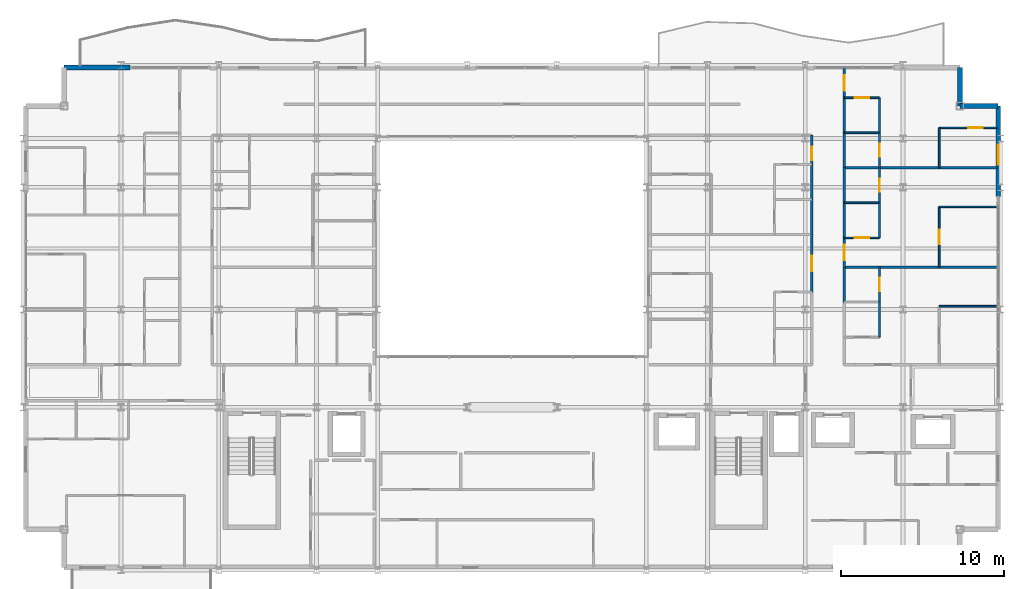
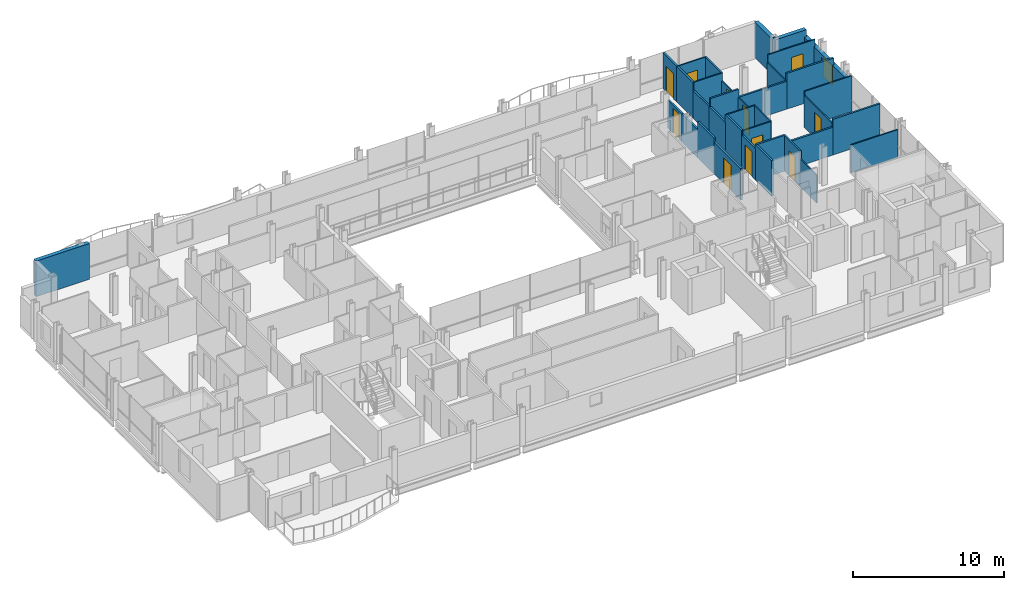
# One storey, part 36 of 40: 36 walls, 11 doors, 1 window, 12 openings.
"""IFC4 building model written with IfcOpenShell, lengths in metres."""

import ifcopenshell
import ifcopenshell.guid

model = None  # the IFC model being written
_history = None  # IfcOwnerHistory: only IFC2X3 demands one
_inside = {}  # id of a spatial element -> (the spatial element, [elements in it])
_under = {}  # id of a project, library or spatial element -> (it, [spatial elements below it])
_declared = {}  # id of a project -> (the project, [libraries it declares])
_typed = {}  # id of a type object -> (the type object, [elements of that type])
_made_of = {}  # id of a material, layer set ... -> (it, [elements and type objects made of it])


def new_model(schema):
    """Start an empty IFC model of exactly this schema.

    Asked for "IFC4X3", IfcOpenShell would pick the latest addendum, in which some entities
    have other attributes; the version numbers below select the first issue.
    IFC2X3 requires an IfcOwnerHistory on every rooted entity: one is made here for all.
    """
    global model, _history
    if schema == "IFC4X3":
        model = ifcopenshell.file(schema_version=(4, 3, 0, 0))
    else:
        model = ifcopenshell.file(schema=schema)
    _inside.clear()
    _under.clear()
    _declared.clear()
    _typed.clear()
    _made_of.clear()
    _history = None
    if model.schema == "IFC2X3":
        org = make("IfcOrganization", Name="unknown")
        user = make(
            "IfcPersonAndOrganization",
            ThePerson=make("IfcPerson", FamilyName="unknown"),
            TheOrganization=org,
        )
        app = make(
            "IfcApplication",
            ApplicationDeveloper=org,
            Version="unknown",
            ApplicationFullName="unknown",
            ApplicationIdentifier="unknown",
        )
        _history = make(
            "IfcOwnerHistory",
            OwningUser=user,
            OwningApplication=app,
            ChangeAction="ADDED",
            CreationDate=0,
        )
    return model


def make(cls, **values):
    """One entity of the class cls with the attributes given. An attribute that is None is left unset."""
    return model.create_entity(
        cls, **{name: value for name, value in values.items() if value is not None}
    )


def rooted(cls, **values):
    """An entity with a GlobalId (a new one), such as an element, a storey or a relation."""
    return make(cls, GlobalId=ifcopenshell.guid.new(), OwnerHistory=_history, **values)


def si_unit(unit_type, name, prefix=None):
    """IfcSIUnit, for example si_unit("LENGTHUNIT", "METRE", prefix="MILLI")."""
    return make("IfcSIUnit", UnitType=unit_type, Prefix=prefix, Name=name)


def assignment(units):
    """IfcUnitAssignment: the units of a project."""
    return None if units is None else make("IfcUnitAssignment", Units=units)


def point(xyz):
    """IfcCartesianPoint."""
    return None if xyz is None else make("IfcCartesianPoint", Coordinates=xyz)


def direction(xyz):
    """IfcDirection."""
    return None if xyz is None else make("IfcDirection", DirectionRatios=xyz)


def frame(location, z_axis=None, x_axis=None):
    """IfcAxis2Placement3D, a coordinate frame: its origin and axes. An axis left out is left unset."""
    return make(
        "IfcAxis2Placement3D",
        Location=point(location),
        Axis=direction(z_axis),
        RefDirection=direction(x_axis),
    )


def frame_2d(location, x_axis=None):
    """IfcAxis2Placement2D, a coordinate frame in the plane: its origin and x axis."""
    return make(
        "IfcAxis2Placement2D", Location=point(location), RefDirection=direction(x_axis)
    )


def origin():
    """The frame at (0, 0, 0) with its axes left unset."""
    return frame((0.0, 0.0, 0.0))


def place(relative_to, where):
    """IfcLocalPlacement: puts the frame where relative to a parent placement (None: the world)."""
    return make(
        "IfcLocalPlacement", PlacementRelTo=relative_to, RelativePlacement=where
    )


def context(
    kind, dimensions, precision=None, world=None, true_north=None, identifier=None
):
    """IfcGeometricRepresentationContext, for example the 3D "Model" context."""
    return make(
        "IfcGeometricRepresentationContext",
        ContextIdentifier=identifier,
        ContextType=kind,
        CoordinateSpaceDimension=dimensions,
        Precision=precision,
        WorldCoordinateSystem=world,
        TrueNorth=true_north,
    )


def subcontext(parent, identifier, kind, view, scale=None):
    """IfcGeometricRepresentationSubContext, for example "Body" below "Model"."""
    return make(
        "IfcGeometricRepresentationSubContext",
        ContextIdentifier=identifier,
        ContextType=kind,
        ParentContext=parent,
        TargetScale=scale,
        TargetView=view,
    )


def project(units=None, contexts=None):
    """IfcProject with its units and contexts."""
    return rooted(
        "IfcProject",
        Name="project",
        RepresentationContexts=contexts,
        UnitsInContext=assignment(units),
    )


def spatial(cls, under=None, at=None, **own):
    """A site, building, storey or space (cls), placed at a placement, below another one or the project."""
    s = rooted(cls, ObjectPlacement=at, **own)
    if under is not None:
        _under.setdefault(under.id(), (under, []))[1].append(s)
    return s


def profile(cls, at=None, kind="AREA", **sizes):
    """A parametric profile (cls). Its sizes go by their IFC names, for example OverallWidth=200.0."""
    return make(cls, ProfileType=kind, Position=at, **sizes)


def rectangle(**sizes):
    """IfcRectangleProfileDef."""
    return profile("IfcRectangleProfileDef", **sizes)


def extrude(swept, where, along, depth):
    """IfcExtrudedAreaSolid: the profile swept, set in the frame where, extruded along a direction by depth."""
    return make(
        "IfcExtrudedAreaSolid",
        SweptArea=swept,
        Position=where,
        ExtrudedDirection=direction(along),
        Depth=depth,
    )


def shape(context_of_items, identifier, shape_type, items):
    """IfcShapeRepresentation: the items that make up one representation, for example the "Body"."""
    return make(
        "IfcShapeRepresentation",
        ContextOfItems=context_of_items,
        RepresentationIdentifier=identifier,
        RepresentationType=shape_type,
        Items=items,
    )


def material(Name=None, Category=None):
    """IfcMaterial."""
    return make("IfcMaterial", Name=Name, Category=Category)


def layer(
    of_material, thickness, ventilated=None, Name=None, Category=None, Priority=None
):
    """IfcMaterialLayer: one layer of a wall or slab, of a material (None: an air gap)."""
    return make(
        "IfcMaterialLayer",
        Material=of_material,
        LayerThickness=thickness,
        IsVentilated=ventilated,
        Name=Name,
        Category=Category,
        Priority=Priority,
    )


def layer_set(layers, Name=None):
    """IfcMaterialLayerSet."""
    return make("IfcMaterialLayerSet", MaterialLayers=layers, LayerSetName=Name)


def made_of(thing, what):
    """Note that an element or type object is made of a material, layer set ...; save() writes the relation."""
    if what is not None:
        _made_of.setdefault(what.id(), (what, []))[1].append(thing)
    return thing


def type_object(cls, material=None, **own):
    """A type object (cls), such as IfcWallType, which elements share."""
    return made_of(rooted(cls, **own), material)


def element(
    cls,
    number,
    at=None,
    inside=None,
    cuts=None,
    type_object=None,
    material=None,
    context=None,
    identifier="Body",
    shape_type=None,
    held_by="IfcProductDefinitionShape",
    body=None,
    shapes=None,
    **own,
):
    """One element of the class cls, such as IfcWall. Its Tag is "e" and its number.

    at: its placement. inside: the storey or other place that contains it. cuts: it is an
    opening in that element (IfcRelVoidsElement). A single representation is given by context,
    identifier, shape_type and body (its items); several are given by shapes. held_by: the class
    of the entity that holds the representations. save() writes the other relations.
    """
    e = rooted(cls, Tag="e%d" % number, ObjectPlacement=at, **own)
    if body is not None:
        shapes = [shape(context, identifier, shape_type, body)]
    if shapes is not None:
        e.Representation = make(held_by, Representations=shapes)
    if inside is not None:
        _inside.setdefault(inside.id(), (inside, []))[1].append(e)
    if cuts is not None:
        rooted(
            "IfcRelVoidsElement", RelatingBuildingElement=cuts, RelatedOpeningElement=e
        )
    if type_object is not None:
        _typed.setdefault(type_object.id(), (type_object, []))[1].append(e)
    return made_of(e, material)


def fill(opening, filler):
    """IfcRelFillsElement: the door or window that sits in an opening."""
    return rooted(
        "IfcRelFillsElement",
        RelatingOpeningElement=opening,
        RelatedBuildingElement=filler,
    )


def aggregate(whole, parts):
    """IfcRelAggregates: a whole, such as a stair, and the parts it consists of."""
    return rooted("IfcRelAggregates", RelatingObject=whole, RelatedObjects=parts)


def save(model, path):
    """Write the relations noted so far, then the file.

    IfcRelAggregates (storeys below a building ...), IfcRelContainedInSpatialStructure (elements
    in a storey), IfcRelDefinesByType, IfcRelAssociatesMaterial and IfcRelDeclares: one each for
    every whole, place, type object, material and project.
    """
    for whole, parts in _under.values():
        aggregate(whole, parts)
    for where, things in _inside.values():
        rooted(
            "IfcRelContainedInSpatialStructure",
            RelatedElements=things,
            RelatingStructure=where,
        )
    for kind, things in _typed.values():
        rooted("IfcRelDefinesByType", RelatedObjects=things, RelatingType=kind)
    for what, things in _made_of.values():
        rooted("IfcRelAssociatesMaterial", RelatedObjects=things, RelatingMaterial=what)
    for by, libraries in _declared.values():
        rooted("IfcRelDeclares", RelatingContext=by, RelatedDefinitions=libraries)
    model.write(path)


model = new_model("IFC4")

# Units and contexts
model_context = context("Model", 3, precision=1e-05, world=origin(), true_north=direction((0.0, 1.0)))
body_context = subcontext(model_context, "Body", "Model", "MODEL_VIEW")
ifc_project = project(units=[si_unit("LENGTHUNIT", "METRE"), si_unit("AREAUNIT", "SQUARE_METRE"), si_unit("VOLUMEUNIT", "CUBIC_METRE"), si_unit("PLANEANGLEUNIT", "RADIAN"), si_unit("MASSUNIT", "GRAM", prefix="KILO")], contexts=[model_context])

# Site, building, storey
site_placement = place(None, origin())
site = spatial("IfcSite", under=ifc_project, at=site_placement, CompositionType="ELEMENT")
building_placement = place(site_placement, origin())
building = spatial("IfcBuilding", under=site, at=building_placement, Name="Brevholm Reach", CompositionType="ELEMENT")
storey_placement = place(building_placement, frame((0.0, 0.0, 119.0)))
storey = spatial("IfcBuildingStorey", under=building, at=storey_placement, Name="L35", CompositionType="ELEMENT", Elevation=119.0)

# Walls
ifc_material_1 = material(Name="Concrete C40/50", Category="concrete")
ifc_layer_1 = layer(ifc_material_1, 0.300048828125)
ifc_layer_set_1 = layer_set([ifc_layer_1], Name="Concrete C40/50")
wall_type_1 = type_object("IfcWallType", Name="WAL-EXT-300", PredefinedType="STANDARD", material=ifc_layer_set_1)
for number, where, z_axis, x_axis, name in (
    (1, (59.85009765625, 28.5, 0.0), (0.0, 0.0, 1.0), (-1.0, 0.0, 0.0), "L35 Facade Wall WAL-L35-CNE1"),
    (2, (57.5, 28.5, 0.0), (0.0, 0.0, 1.0), (0.0, 1.0, 0.0), "L35 Facade Wall WAL-L35-CNE2"),
):
    element("IfcWall", number, at=place(storey_placement, frame(where, z_axis=z_axis, x_axis=x_axis)), inside=storey, type_object=wall_type_1, Name=name, PredefinedType="STANDARD", context=body_context, shape_type="SweptSolid", body=[
        extrude(rectangle(XDim=2.35009765625, YDim=0.300048828125, at=frame_2d((1.175048828125, 0.0))), origin(), (0.0, 0.0, 1.0), 2.8798828125),
    ])

# Wall, opening, window
wall_1_placement = place(storey_placement, frame((59.85009765625, 22.949951171875, 0.0), z_axis=(0.0, 0.0, 1.0), x_axis=(0.0, 1.0, 0.0)))
wall_1 = element("IfcWall", 3, at=wall_1_placement, inside=storey, type_object=wall_type_1, Name="L35 Facade Wall WAL-L35-E-N", PredefinedType="STANDARD", context=body_context, shape_type="SweptSolid", body=[
    extrude(rectangle(XDim=5.550048828125, YDim=0.300048828125, at=frame_2d((2.77490234375, 0.0))), origin(), (0.0, 0.0, 1.0), 2.322021484375),
])
opening_1_placement = place(wall_1_placement, frame((1.949951171875, 0.0, 0.501953125)))
opening_1 = element("IfcOpeningElement", 4, at=opening_1_placement, cuts=wall_1, Name="Opening WN-08", PredefinedType="OPENING", context=body_context, shape_type="SweptSolid", body=[
    extrude(rectangle(XDim=1.199951171875, YDim=1.60009765625, at=frame_2d((0.60009765625, 0.800048828125))), frame((0.0, 0.159912109375, 0.0), z_axis=(0.0, -1.0, 0.0), x_axis=(1.0, 0.0, 0.0)), (0.0, 0.0, 1.0), 0.320068359375),
])
ifc_material_2 = material(Name="Dark Anodised Aluminium and Solar-Control IGU Glass", Category="aluminium")
window_type = type_object("IfcWindowType", Name="WIN-RES-1200", PartitioningType="SINGLE_PANEL", PredefinedType="WINDOW", material=ifc_material_2)
window_placement = place(opening_1_placement, origin())
window = element("IfcWindow", 5, at=window_placement, inside=storey, type_object=window_type, Name="L35 Window WIN-L35-EN-1", OverallHeight=1.60009765625, OverallWidth=1.199951171875, PartitioningType="SINGLE_PANEL", PredefinedType="WINDOW", context=body_context, shape_type="SweptSolid", body=[
    extrude(rectangle(XDim=1.199951171875, YDim=1.60009765625, at=frame_2d((0.60009765625, 0.800048828125))), frame((0.0, 0.030029296875, 0.0), z_axis=(0.0, -1.0, 0.0), x_axis=(1.0, 0.0, 0.0)), (0.0, 0.0, 1.0), 0.06005859375),
])
fill(opening_1, window)

# Wall
wall_2_placement = place(storey_placement, frame((2.5, 30.85009765625, 0.0), z_axis=(0.0, 0.0, 1.0), x_axis=(1.0, 0.0, 0.0)))
element("IfcWall", 6, at=wall_2_placement, inside=storey, type_object=wall_type_1, Name="L35 Facade Wall WAL-L35-NP-W0", PredefinedType="STANDARD", context=body_context, shape_type="SweptSolid", body=[
    extrude(rectangle(XDim=4.050048828125, YDim=0.300048828125, at=frame_2d((2.02490234375, 0.0))), origin(), (0.0, 0.0, 1.0), 2.8798828125),
])

# Wall, opening, door
ifc_material_3 = material(Name="Moisture-Resistant Acoustic Gypsum Stud Partition 100 mm", Category="gypsum")
ifc_layer_2 = layer(ifc_material_3, 0.10009765625)
ifc_layer_set_2 = layer_set([ifc_layer_2], Name="Moisture-Resistant Acoustic Gypsum Stud Partition 100 mm")
wall_type_2 = type_object("IfcWallType", Name="WAL-PRT-100", PredefinedType="PARTITIONING", material=ifc_layer_set_2)
wall_3_placement = place(storey_placement, frame((52.56201171875, 16.449951171875, 0.0), z_axis=(0.0, 0.0, 1.0), x_axis=(0.0, 1.0, 0.0)))
wall_3 = element("IfcWall", 7, at=wall_3_placement, inside=storey, type_object=wall_type_2, Name="L35 Internal Partition 138", PredefinedType="PARTITIONING", context=body_context, shape_type="SweptSolid", body=[
    extrude(rectangle(XDim=2.150146484375, YDim=0.10009765625, at=frame_2d((1.0751953125, 0.0))), origin(), (0.0, 0.0, 1.0), 2.8798828125),
])
opening_2_placement = place(wall_3_placement, frame((0.6650390625, 0.0, 0.0)))
opening_2 = element("IfcOpeningElement", 8, at=opening_2_placement, cuts=wall_3, Name="Opening ID-03", PredefinedType="OPENING", context=body_context, shape_type="SweptSolid", body=[
    extrude(rectangle(XDim=0.820068359375, YDim=2.02001953125, at=frame_2d((0.41015625, 1.010009765625))), frame((0.0, 0.06005859375, 0.0), z_axis=(0.0, -1.0, 0.0), x_axis=(1.0, 0.0, 0.0)), (0.0, 0.0, 1.0), 0.1201171875),
])
ifc_material_4 = material(Name="Moisture-Resistant Painted Timber Internal Bathroom Door", Category="wood")
door_type_1 = type_object("IfcDoorType", Name="DOR-BATH-820", OperationType="NOTDEFINED", PredefinedType="DOOR", material=ifc_material_4)
door_1_placement = place(opening_2_placement, origin())
door_1 = element("IfcDoor", 9, at=door_1_placement, inside=storey, type_object=door_type_1, Name="L35 Internal Door 053", OperationType="SINGLE_SWING_LEFT", OverallHeight=2.02001953125, OverallWidth=0.820068359375, PredefinedType="DOOR", context=body_context, shape_type="SweptSolid", body=[
    extrude(rectangle(XDim=0.820068359375, YDim=2.02001953125, at=frame_2d((0.41015625, 1.010009765625))), frame((0.0, 0.02490234375, 0.0), z_axis=(0.0, -1.0, 0.0), x_axis=(1.0, 0.0, 0.0)), (0.0, 0.0, 1.0), 0.050048828125),
])
fill(opening_2, door_1)

# Walls
wall_4_placement = place(storey_placement, frame((52.56201171875, 14.300048828125, 0.0), z_axis=(0.0, 0.0, 1.0), x_axis=(0.0, 1.0, 0.0)))
element("IfcWall", 10, at=wall_4_placement, inside=storey, type_object=wall_type_2, Name="L35 Internal Partition 141", PredefinedType="PARTITIONING", context=body_context, shape_type="SweptSolid", body=[
    extrude(rectangle(XDim=2.14599609375, YDim=0.10009765625, at=frame_2d((1.072998046875, 0.0))), origin(), (0.0, 0.0, 1.0), 2.242919921875),
])
wall_5_placement = place(storey_placement, frame((56.22802734375, 16.199951171875, 0.0), z_axis=(0.0, 0.0, 1.0), x_axis=(1.0, 0.0, 0.0)))
element("IfcWall", 11, at=wall_5_placement, inside=storey, type_object=wall_type_2, Name="L35 Internal Partition 142", PredefinedType="PARTITIONING", context=body_context, shape_type="SweptSolid", body=[
    extrude(rectangle(XDim=3.572021484375, YDim=0.10009765625, at=frame_2d((1.7861328125, 0.0))), origin(), (0.0, 0.0, 1.0), 2.242919921875),
])
wall_6_placement = place(storey_placement, frame((50.404052734375, 22.550048828125, 0.0), z_axis=(0.0, 0.0, 1.0), x_axis=(1.0, 0.0, 0.0)))
element("IfcWall", 12, at=wall_6_placement, inside=storey, type_object=wall_type_2, Name="L35 Internal Partition 146", PredefinedType="PARTITIONING", context=body_context, shape_type="SweptSolid", body=[
    extrude(rectangle(XDim=2.157958984375, YDim=0.10009765625, at=frame_2d((1.0791015625, 0.0))), origin(), (0.0, 0.0, 1.0), 2.8798828125),
])

# Wall, opening, door
wall_7_placement = place(storey_placement, frame((52.56201171875, 22.550048828125, 0.0), z_axis=(0.0, 0.0, 1.0), x_axis=(0.0, 1.0, 0.0)))
wall_7 = element("IfcWall", 13, at=wall_7_placement, inside=storey, type_object=wall_type_2, Name="L35 Internal Partition 147", PredefinedType="PARTITIONING", context=body_context, shape_type="SweptSolid", body=[
    extrude(rectangle(XDim=2.14990234375, YDim=0.10009765625, at=frame_2d((1.074951171875, 0.0))), origin(), (0.0, 0.0, 1.0), 2.242919921875),
])
opening_3_placement = place(wall_7_placement, frame((0.6650390625, 0.0, 0.0)))
opening_3 = element("IfcOpeningElement", 14, at=opening_3_placement, cuts=wall_7, Name="Opening ID-03", PredefinedType="OPENING", context=body_context, shape_type="SweptSolid", body=[
    extrude(rectangle(XDim=0.820068359375, YDim=2.02001953125, at=frame_2d((0.41015625, 1.010009765625))), frame((0.0, 0.06005859375, 0.0), z_axis=(0.0, -1.0, 0.0), x_axis=(1.0, 0.0, 0.0)), (0.0, 0.0, 1.0), 0.1201171875),
])
door_2_placement = place(opening_3_placement, origin())
door_2 = element("IfcDoor", 15, at=door_2_placement, inside=storey, type_object=door_type_1, Name="L35 Internal Door 056", OperationType="SINGLE_SWING_RIGHT", OverallHeight=2.02001953125, OverallWidth=0.820068359375, PredefinedType="DOOR", context=body_context, shape_type="SweptSolid", body=[
    extrude(rectangle(XDim=0.820068359375, YDim=2.02001953125, at=frame_2d((0.41015625, 1.010009765625))), frame((0.0, 0.02490234375, 0.0), z_axis=(0.0, -1.0, 0.0), x_axis=(1.0, 0.0, 0.0)), (0.0, 0.0, 1.0), 0.050048828125),
])
fill(opening_3, door_2)

wall_8_placement = place(storey_placement, frame((50.404052734375, 20.39990234375, 0.0), z_axis=(0.0, 0.0, 1.0), x_axis=(1.0, 0.0, 0.0)))
wall_8 = element("IfcWall", 16, at=wall_8_placement, inside=storey, type_object=wall_type_2, Name="L35 Internal Partition 149", PredefinedType="PARTITIONING", context=body_context, shape_type="SweptSolid", body=[
    extrude(rectangle(XDim=2.157958984375, YDim=0.10009765625, at=frame_2d((1.0791015625, 0.0))), origin(), (0.0, 0.0, 1.0), 2.8798828125),
])
opening_4_placement = place(wall_8_placement, frame((0.638916015625, 0.0, 0.0)))
opening_4 = element("IfcOpeningElement", 17, at=opening_4_placement, cuts=wall_8, Name="Opening ID-01", PredefinedType="OPENING", context=body_context, shape_type="SweptSolid", body=[
    extrude(rectangle(XDim=0.8798828125, YDim=2.0400390625, at=frame_2d((0.43994140625, 1.02001953125))), frame((0.0, 0.06005859375, 0.0), z_axis=(0.0, -1.0, 0.0), x_axis=(1.0, 0.0, 0.0)), (0.0, 0.0, 1.0), 0.1201171875),
])
ifc_material_5 = material(Name="Lacquered Ash Solid-Core Acoustic Internal Door", Category="timber")
door_type_2 = type_object("IfcDoorType", Name="DOR-INT-880", OperationType="NOTDEFINED", PredefinedType="DOOR", material=ifc_material_5)
door_3_placement = place(opening_4_placement, origin())
door_3 = element("IfcDoor", 18, at=door_3_placement, inside=storey, type_object=door_type_2, Name="L35 Internal Door 057", OperationType="SINGLE_SWING_LEFT", OverallHeight=2.0400390625, OverallWidth=0.8798828125, PredefinedType="DOOR", context=body_context, shape_type="SweptSolid", body=[
    extrude(rectangle(XDim=0.8798828125, YDim=2.0400390625, at=frame_2d((0.43994140625, 1.02001953125))), frame((0.0, 0.02490234375, 0.0), z_axis=(0.0, -1.0, 0.0), x_axis=(1.0, 0.0, 0.0)), (0.0, 0.0, 1.0), 0.050048828125),
])
fill(opening_4, door_3)

# Walls
wall_9_placement = place(storey_placement, frame((52.56201171875, 20.39990234375, 0.0), z_axis=(0.0, 0.0, 1.0), x_axis=(0.0, 1.0, 0.0)))
element("IfcWall", 19, at=wall_9_placement, inside=storey, type_object=wall_type_2, Name="L35 Internal Partition 150", PredefinedType="PARTITIONING", context=body_context, shape_type="SweptSolid", body=[
    extrude(rectangle(XDim=2.14599609375, YDim=0.10009765625, at=frame_2d((1.072998046875, 0.0))), origin(), (0.0, 0.0, 1.0), 2.8798828125),
])
wall_10_placement = place(storey_placement, frame((56.22802734375, 22.300048828125, 0.0), z_axis=(0.0, 0.0, 1.0), x_axis=(1.0, 0.0, 0.0)))
element("IfcWall", 20, at=wall_10_placement, inside=storey, type_object=wall_type_2, Name="L35 Internal Partition 151", PredefinedType="PARTITIONING", context=body_context, shape_type="SweptSolid", body=[
    extrude(rectangle(XDim=3.572021484375, YDim=0.10009765625, at=frame_2d((1.7861328125, 0.0))), origin(), (0.0, 0.0, 1.0), 2.8798828125),
])

# Wall, opening, door
wall_11_placement = place(storey_placement, frame((56.22802734375, 18.60400390625, 0.0), z_axis=(0.0, 0.0, 1.0), x_axis=(0.0, 1.0, 0.0)))
wall_11 = element("IfcWall", 21, at=wall_11_placement, inside=storey, type_object=wall_type_2, Name="L35 Internal Partition 152", PredefinedType="PARTITIONING", context=body_context, shape_type="SweptSolid", body=[
    extrude(rectangle(XDim=3.696044921875, YDim=0.10009765625, at=frame_2d((1.84814453125, 0.0))), origin(), (0.0, 0.0, 1.0), 2.551513671875),
])
opening_5_placement = place(wall_11_placement, frame((1.407958984375, 0.0, 0.0)))
opening_5 = element("IfcOpeningElement", 22, at=opening_5_placement, cuts=wall_11, Name="Opening ID-01", PredefinedType="OPENING", context=body_context, shape_type="SweptSolid", body=[
    extrude(rectangle(XDim=0.8798828125, YDim=2.0400390625, at=frame_2d((0.43994140625, 1.02001953125))), frame((0.0, 0.06005859375, 0.0), z_axis=(0.0, -1.0, 0.0), x_axis=(1.0, 0.0, 0.0)), (0.0, 0.0, 1.0), 0.1201171875),
])
door_4_placement = place(opening_5_placement, origin())
door_4 = element("IfcDoor", 23, at=door_4_placement, inside=storey, type_object=door_type_2, Name="L35 Internal Door 058", OperationType="SINGLE_SWING_RIGHT", OverallHeight=2.0400390625, OverallWidth=0.8798828125, PredefinedType="DOOR", context=body_context, shape_type="SweptSolid", body=[
    extrude(rectangle(XDim=0.8798828125, YDim=2.0400390625, at=frame_2d((0.43994140625, 1.02001953125))), frame((0.0, 0.02490234375, 0.0), z_axis=(0.0, -1.0, 0.0), x_axis=(1.0, 0.0, 0.0)), (0.0, 0.0, 1.0), 0.050048828125),
])
fill(opening_5, door_4)

# Wall
wall_12_placement = place(storey_placement, frame((50.404052734375, 26.85009765625, 0.0), z_axis=(0.0, 0.0, 1.0), x_axis=(1.0, 0.0, 0.0)))
element("IfcWall", 24, at=wall_12_placement, inside=storey, type_object=wall_type_2, Name="L35 Internal Partition 155", PredefinedType="PARTITIONING", context=body_context, shape_type="SweptSolid", body=[
    extrude(rectangle(XDim=2.157958984375, YDim=0.10009765625, at=frame_2d((1.0791015625, 0.0))), origin(), (0.0, 0.0, 1.0), 2.8798828125),
])

# Wall, opening, door
wall_13_placement = place(storey_placement, frame((52.56201171875, 24.7041015625, 0.0), z_axis=(0.0, 0.0, 1.0), x_axis=(0.0, 1.0, 0.0)))
wall_13 = element("IfcWall", 25, at=wall_13_placement, inside=storey, type_object=wall_type_2, Name="L35 Internal Partition 156", PredefinedType="PARTITIONING", context=body_context, shape_type="SweptSolid", body=[
    extrude(rectangle(XDim=2.14599609375, YDim=0.10009765625, at=frame_2d((1.072998046875, 0.0))), origin(), (0.0, 0.0, 1.0), 2.242919921875),
])
opening_6_placement = place(wall_13_placement, frame((0.6630859375, 0.0, 0.0)))
opening_6 = element("IfcOpeningElement", 26, at=opening_6_placement, cuts=wall_13, Name="Opening ID-03", PredefinedType="OPENING", context=body_context, shape_type="SweptSolid", body=[
    extrude(rectangle(XDim=0.820068359375, YDim=2.02001953125, at=frame_2d((0.41015625, 1.010009765625))), frame((0.0, 0.06005859375, 0.0), z_axis=(0.0, -1.0, 0.0), x_axis=(1.0, 0.0, 0.0)), (0.0, 0.0, 1.0), 0.1201171875),
])
door_5_placement = place(opening_6_placement, origin())
door_5 = element("IfcDoor", 27, at=door_5_placement, inside=storey, type_object=door_type_1, Name="L35 Internal Door 059", OperationType="SINGLE_SWING_LEFT", OverallHeight=2.02001953125, OverallWidth=0.820068359375, PredefinedType="DOOR", context=body_context, shape_type="SweptSolid", body=[
    extrude(rectangle(XDim=0.820068359375, YDim=2.02001953125, at=frame_2d((0.41015625, 1.010009765625))), frame((0.0, 0.02490234375, 0.0), z_axis=(0.0, -1.0, 0.0), x_axis=(1.0, 0.0, 0.0)), (0.0, 0.0, 1.0), 0.050048828125),
])
fill(opening_6, door_5)

# Wall
wall_14_placement = place(storey_placement, frame((52.56201171875, 26.85400390625, 0.0), z_axis=(0.0, 0.0, 1.0), x_axis=(0.0, 1.0, 0.0)))
element("IfcWall", 28, at=wall_14_placement, inside=storey, type_object=wall_type_2, Name="L35 Internal Partition 157", PredefinedType="PARTITIONING", context=body_context, shape_type="SweptSolid", body=[
    extrude(rectangle(XDim=2.14599609375, YDim=0.10009765625, at=frame_2d((1.072998046875, 0.0))), origin(), (0.0, 0.0, 1.0), 2.8798828125),
])

# Wall, opening, door
wall_15_placement = place(storey_placement, frame((50.404052734375, 29.0, 0.0), z_axis=(0.0, 0.0, 1.0), x_axis=(1.0, 0.0, 0.0)))
wall_15 = element("IfcWall", 29, at=wall_15_placement, inside=storey, type_object=wall_type_2, Name="L35 Internal Partition 158", PredefinedType="PARTITIONING", context=body_context, shape_type="SweptSolid", body=[
    extrude(rectangle(XDim=2.157958984375, YDim=0.10009765625, at=frame_2d((1.0791015625, 0.0))), origin(), (0.0, 0.0, 1.0), 2.8798828125),
])
opening_7_placement = place(wall_15_placement, frame((0.638916015625, 0.0, 0.0)))
opening_7 = element("IfcOpeningElement", 30, at=opening_7_placement, cuts=wall_15, Name="Opening ID-01", PredefinedType="OPENING", context=body_context, shape_type="SweptSolid", body=[
    extrude(rectangle(XDim=0.8798828125, YDim=2.0400390625, at=frame_2d((0.43994140625, 1.02001953125))), frame((0.0, 0.06005859375, 0.0), z_axis=(0.0, -1.0, 0.0), x_axis=(1.0, 0.0, 0.0)), (0.0, 0.0, 1.0), 0.1201171875),
])
door_6_placement = place(opening_7_placement, origin())
door_6 = element("IfcDoor", 31, at=door_6_placement, inside=storey, type_object=door_type_2, Name="L35 Internal Door 060", OperationType="SINGLE_SWING_RIGHT", OverallHeight=2.0400390625, OverallWidth=0.8798828125, PredefinedType="DOOR", context=body_context, shape_type="SweptSolid", body=[
    extrude(rectangle(XDim=0.8798828125, YDim=2.0400390625, at=frame_2d((0.43994140625, 1.02001953125))), frame((0.0, 0.02490234375, 0.0), z_axis=(0.0, -1.0, 0.0), x_axis=(1.0, 0.0, 0.0)), (0.0, 0.0, 1.0), 0.050048828125),
])
fill(opening_7, door_6)

wall_16_placement = place(storey_placement, frame((56.22802734375, 27.14990234375, 0.0), z_axis=(0.0, 0.0, 1.0), x_axis=(1.0, 0.0, 0.0)))
wall_16 = element("IfcWall", 32, at=wall_16_placement, inside=storey, type_object=wall_type_2, Name="L35 Internal Partition 159", PredefinedType="PARTITIONING", context=body_context, shape_type="SweptSolid", body=[
    extrude(rectangle(XDim=3.572021484375, YDim=0.10009765625, at=frame_2d((1.7861328125, 0.0))), origin(), (0.0, 0.0, 1.0), 2.8798828125),
])
opening_8_placement = place(wall_16_placement, frame((1.785888671875, 0.0, 0.0)))
opening_8 = element("IfcOpeningElement", 33, at=opening_8_placement, cuts=wall_16, Name="Opening ID-01", PredefinedType="OPENING", context=body_context, shape_type="SweptSolid", body=[
    extrude(rectangle(XDim=0.8798828125, YDim=2.0400390625, at=frame_2d((0.43994140625, 1.02001953125))), frame((0.0, 0.06005859375, 0.0), z_axis=(0.0, -1.0, 0.0), x_axis=(1.0, 0.0, 0.0)), (0.0, 0.0, 1.0), 0.1201171875),
])
door_7_placement = place(opening_8_placement, origin())
door_7 = element("IfcDoor", 34, at=door_7_placement, inside=storey, type_object=door_type_2, Name="L35 Internal Door 061", OperationType="SINGLE_SWING_LEFT", OverallHeight=2.0400390625, OverallWidth=0.8798828125, PredefinedType="DOOR", context=body_context, shape_type="SweptSolid", body=[
    extrude(rectangle(XDim=0.8798828125, YDim=2.0400390625, at=frame_2d((0.43994140625, 1.02001953125))), frame((0.0, 0.02490234375, 0.0), z_axis=(0.0, -1.0, 0.0), x_axis=(1.0, 0.0, 0.0)), (0.0, 0.0, 1.0), 0.050048828125),
])
fill(opening_8, door_7)

# Wall
wall_17_placement = place(storey_placement, frame((56.22802734375, 24.7041015625, 0.0), z_axis=(0.0, 0.0, 1.0), x_axis=(0.0, 1.0, 0.0)))
element("IfcWall", 35, at=wall_17_placement, inside=storey, type_object=wall_type_2, Name="L35 Internal Partition 160", PredefinedType="PARTITIONING", context=body_context, shape_type="SweptSolid", body=[
    extrude(rectangle(XDim=2.44580078125, YDim=0.10009765625, at=frame_2d((1.222900390625, 0.0))), origin(), (0.0, 0.0, 1.0), 2.242919921875),
])

# Wall, opening, door
ifc_material_6 = material(Name="Twin-Stud Acoustic Fire-Rated Gypsum Partition 140 mm", Category="gypsum")
ifc_layer_3 = layer(ifc_material_6, 0.139892578125)
ifc_layer_set_3 = layer_set([ifc_layer_3], Name="Twin-Stud Acoustic Fire-Rated Gypsum Partition 140 mm")
wall_type_3 = type_object("IfcWallType", Name="WAL-PRT-140", PredefinedType="PARTITIONING", material=ifc_layer_set_3)
wall_18_placement = place(storey_placement, frame((48.39990234375, 17.064697265625, 0.0), z_axis=(0.0, 0.0, 1.0), x_axis=(0.0, 1.0, 0.0)))
wall_18 = element("IfcWall", 36, at=wall_18_placement, inside=storey, type_object=wall_type_3, Name="L35 Internal Partition 048", PredefinedType="PARTITIONING", context=body_context, shape_type="SweptSolid", body=[
    extrude(rectangle(XDim=3.546630859375, YDim=0.139892578125, at=frame_2d((1.7734375, 0.0))), origin(), (0.0, 0.0, 1.0), 2.551513671875),
])
opening_9_placement = place(wall_18_placement, frame((1.29833984375, 0.0, 0.0)))
opening_9 = element("IfcOpeningElement", 37, at=opening_9_placement, cuts=wall_18, Name="Opening ID-30", PredefinedType="OPENING", context=body_context, shape_type="SweptSolid", body=[
    extrude(rectangle(XDim=0.949951171875, YDim=2.050048828125, at=frame_2d((0.47509765625, 1.02490234375))), frame((0.0, 0.079833984375, 0.0), z_axis=(0.0, -1.0, 0.0), x_axis=(1.0, 0.0, 0.0)), (0.0, 0.0, 1.0), 0.159912109375),
])
ifc_material_7 = material(Name="European Oak Veneered Solid-Core Fire Entrance Door", Category="timber")
door_type_3 = type_object("IfcDoorType", Name="DOR-FLT-FD30S", OperationType="NOTDEFINED", PredefinedType="DOOR", material=ifc_material_7)
door_8_placement = place(opening_9_placement, origin())
door_8 = element("IfcDoor", 38, at=door_8_placement, inside=storey, type_object=door_type_3, Name="L35 Internal Door 021", OperationType="SINGLE_SWING_LEFT", OverallHeight=2.050048828125, OverallWidth=0.949951171875, PredefinedType="DOOR", context=body_context, shape_type="SweptSolid", body=[
    extrude(rectangle(XDim=0.949951171875, YDim=2.050048828125, at=frame_2d((0.47509765625, 1.02490234375))), frame((0.0, 0.02490234375, 0.0), z_axis=(0.0, -1.0, 0.0), x_axis=(1.0, 0.0, 0.0)), (0.0, 0.0, 1.0), 0.050048828125),
])
fill(opening_9, door_8)

# Walls
wall_19_placement = place(storey_placement, frame((48.39990234375, 20.5927734375, 0.0), z_axis=(0.0, 0.0, 1.0), x_axis=(0.0, 1.0, 0.0)))
element("IfcWall", 39, at=wall_19_placement, inside=storey, type_object=wall_type_3, Name="L35 Internal Partition 049", PredefinedType="PARTITIONING", context=body_context, shape_type="SweptSolid", body=[
    extrude(rectangle(XDim=2.16845703125, YDim=0.139892578125, at=frame_2d((1.084228515625, 0.0))), origin(), (0.0, 0.0, 1.0), 2.8798828125),
])
wall_20_placement = place(storey_placement, frame((48.39990234375, 22.74267578125, 0.0), z_axis=(0.0, 0.0, 1.0), x_axis=(0.0, 1.0, 0.0)))
element("IfcWall", 40, at=wall_20_placement, inside=storey, type_object=wall_type_3, Name="L35 Internal Partition 050", PredefinedType="PARTITIONING", context=body_context, shape_type="SweptSolid", body=[
    extrude(rectangle(XDim=2.168701171875, YDim=0.139892578125, at=frame_2d((1.08447265625, 0.0))), origin(), (0.0, 0.0, 1.0), 2.242919921875),
])

# Wall, opening, door
wall_21_placement = place(storey_placement, frame((48.39990234375, 24.892578125, 0.0), z_axis=(0.0, 0.0, 1.0), x_axis=(0.0, 1.0, 0.0)))
wall_21 = element("IfcWall", 41, at=wall_21_placement, inside=storey, type_object=wall_type_3, Name="L35 Internal Partition 051", PredefinedType="PARTITIONING", context=body_context, shape_type="SweptSolid", body=[
    extrude(rectangle(XDim=1.814697265625, YDim=0.139892578125, at=frame_2d((0.9072265625, 0.0))), origin(), (0.0, 0.0, 1.0), 2.242919921875),
])
opening_10_placement = place(wall_21_placement, frame((0.27734375, 0.0, 0.0)))
opening_10 = element("IfcOpeningElement", 42, at=opening_10_placement, cuts=wall_21, Name="Opening ID-02", PredefinedType="OPENING", context=body_context, shape_type="SweptSolid", body=[
    extrude(rectangle(XDim=0.820068359375, YDim=2.02001953125, at=frame_2d((0.41015625, 1.010009765625))), frame((0.0, 0.079833984375, 0.0), z_axis=(0.0, -1.0, 0.0), x_axis=(1.0, 0.0, 0.0)), (0.0, 0.0, 1.0), 0.159912109375),
])
ifc_material_8 = material(Name="Moisture-Resistant Painted Timber Fire-Rated Riser and Service Door", Category="wood")
door_type_4 = type_object("IfcDoorType", Name="DOR-SRV-820", OperationType="NOTDEFINED", PredefinedType="DOOR", material=ifc_material_8)
door_9_placement = place(opening_10_placement, origin())
door_9 = element("IfcDoor", 43, at=door_9_placement, inside=storey, type_object=door_type_4, Name="L35 Internal Door 022", OperationType="SINGLE_SWING_RIGHT", OverallHeight=2.02001953125, OverallWidth=0.820068359375, PredefinedType="DOOR", context=body_context, shape_type="SweptSolid", body=[
    extrude(rectangle(XDim=0.820068359375, YDim=2.02001953125, at=frame_2d((0.41015625, 1.010009765625))), frame((0.0, 0.02490234375, 0.0), z_axis=(0.0, -1.0, 0.0), x_axis=(1.0, 0.0, 0.0)), (0.0, 0.0, 1.0), 0.050048828125),
])
fill(opening_10, door_9)

# Walls
wall_22_placement = place(storey_placement, frame((50.39990234375, 16.438720703125, 0.0), z_axis=(0.0, 0.0, 1.0), x_axis=(0.0, 1.0, 0.0)))
element("IfcWall", 44, at=wall_22_placement, inside=storey, type_object=wall_type_3, Name="L35 Internal Partition 052", PredefinedType="PARTITIONING", context=body_context, shape_type="SweptSolid", body=[
    extrude(rectangle(XDim=2.172607421875, YDim=0.139892578125, at=frame_2d((1.08642578125, 0.0))), origin(), (0.0, 0.0, 1.0), 2.8798828125),
])
wall_23_placement = place(storey_placement, frame((50.39990234375, 22.538818359375, 0.0), z_axis=(0.0, 0.0, 1.0), x_axis=(0.0, 1.0, 0.0)))
element("IfcWall", 45, at=wall_23_placement, inside=storey, type_object=wall_type_3, Name="L35 Internal Partition 055", PredefinedType="PARTITIONING", context=body_context, shape_type="SweptSolid", body=[
    extrude(rectangle(XDim=2.17236328125, YDim=0.139892578125, at=frame_2d((1.086181640625, 0.0))), origin(), (0.0, 0.0, 1.0), 2.242919921875),
])
wall_24_placement = place(storey_placement, frame((50.39990234375, 20.388671875, 0.0), z_axis=(0.0, 0.0, 1.0), x_axis=(0.0, 1.0, 0.0)))
element("IfcWall", 46, at=wall_24_placement, inside=storey, type_object=wall_type_3, Name="L35 Internal Partition 056", PredefinedType="PARTITIONING", context=body_context, shape_type="SweptSolid", body=[
    extrude(rectangle(XDim=2.168701171875, YDim=0.139892578125, at=frame_2d((1.08447265625, 0.0))), origin(), (0.0, 0.0, 1.0), 2.8798828125),
])

# Wall, opening, door
wall_25_placement = place(storey_placement, frame((50.39990234375, 18.5927734375, 0.0), z_axis=(0.0, 0.0, 1.0), x_axis=(0.0, 1.0, 0.0)))
wall_25 = element("IfcWall", 47, at=wall_25_placement, inside=storey, type_object=wall_type_3, Name="L35 Internal Partition 057", PredefinedType="PARTITIONING", context=body_context, shape_type="SweptSolid", body=[
    extrude(rectangle(XDim=1.814453125, YDim=0.139892578125, at=frame_2d((0.9072265625, 0.0))), origin(), (0.0, 0.0, 1.0), 2.551513671875),
])
opening_11_placement = place(wall_25_placement, frame((0.432373046875, 0.0, 0.0)))
opening_11 = element("IfcOpeningElement", 48, at=opening_11_placement, cuts=wall_25, Name="Opening ID-30", PredefinedType="OPENING", context=body_context, shape_type="SweptSolid", body=[
    extrude(rectangle(XDim=0.949951171875, YDim=2.050048828125, at=frame_2d((0.47509765625, 1.02490234375))), frame((0.0, 0.079833984375, 0.0), z_axis=(0.0, -1.0, 0.0), x_axis=(1.0, 0.0, 0.0)), (0.0, 0.0, 1.0), 0.159912109375),
])
door_10_placement = place(opening_11_placement, origin())
door_10 = element("IfcDoor", 49, at=door_10_placement, inside=storey, type_object=door_type_3, Name="L35 Internal Door 023", OperationType="SINGLE_SWING_LEFT", OverallHeight=2.050048828125, OverallWidth=0.949951171875, PredefinedType="DOOR", context=body_context, shape_type="SweptSolid", body=[
    extrude(rectangle(XDim=0.949951171875, YDim=2.050048828125, at=frame_2d((0.47509765625, 1.02490234375))), frame((0.0, 0.02490234375, 0.0), z_axis=(0.0, -1.0, 0.0), x_axis=(1.0, 0.0, 0.0)), (0.0, 0.0, 1.0), 0.050048828125),
])
fill(opening_11, door_10)

# Walls
wall_26_placement = place(storey_placement, frame((50.39990234375, 24.692626953125, 0.0), z_axis=(0.0, 0.0, 1.0), x_axis=(0.0, 1.0, 0.0)))
element("IfcWall", 50, at=wall_26_placement, inside=storey, type_object=wall_type_3, Name="L35 Internal Partition 058", PredefinedType="PARTITIONING", context=body_context, shape_type="SweptSolid", body=[
    extrude(rectangle(XDim=2.168701171875, YDim=0.139892578125, at=frame_2d((1.08447265625, 0.0))), origin(), (0.0, 0.0, 1.0), 2.242919921875),
])
wall_27_placement = place(storey_placement, frame((50.39990234375, 26.8427734375, 0.0), z_axis=(0.0, 0.0, 1.0), x_axis=(0.0, 1.0, 0.0)))
element("IfcWall", 51, at=wall_27_placement, inside=storey, type_object=wall_type_3, Name="L35 Internal Partition 059", PredefinedType="PARTITIONING", context=body_context, shape_type="SweptSolid", body=[
    extrude(rectangle(XDim=2.16845703125, YDim=0.139892578125, at=frame_2d((1.084228515625, 0.0))), origin(), (0.0, 0.0, 1.0), 2.8798828125),
])

# Wall, opening, door
wall_28_placement = place(storey_placement, frame((50.39990234375, 28.99267578125, 0.0), z_axis=(0.0, 0.0, 1.0), x_axis=(0.0, 1.0, 0.0)))
wall_28 = element("IfcWall", 52, at=wall_28_placement, inside=storey, type_object=wall_type_3, Name="L35 Internal Partition 060", PredefinedType="PARTITIONING", context=body_context, shape_type="SweptSolid", body=[
    extrude(rectangle(XDim=1.807373046875, YDim=0.139892578125, at=frame_2d((0.90380859375, 0.0))), origin(), (0.0, 0.0, 1.0), 2.8798828125),
])
opening_12_placement = place(wall_28_placement, frame((0.4287109375, 0.0, 0.0)))
opening_12 = element("IfcOpeningElement", 53, at=opening_12_placement, cuts=wall_28, Name="Opening ID-30", PredefinedType="OPENING", context=body_context, shape_type="SweptSolid", body=[
    extrude(rectangle(XDim=0.949951171875, YDim=2.050048828125, at=frame_2d((0.47509765625, 1.02490234375))), frame((0.0, 0.079833984375, 0.0), z_axis=(0.0, -1.0, 0.0), x_axis=(1.0, 0.0, 0.0)), (0.0, 0.0, 1.0), 0.159912109375),
])
door_11_placement = place(opening_12_placement, origin())
door_11 = element("IfcDoor", 54, at=door_11_placement, inside=storey, type_object=door_type_3, Name="L35 Internal Door 024", OperationType="SINGLE_SWING_RIGHT", OverallHeight=2.050048828125, OverallWidth=0.949951171875, PredefinedType="DOOR", context=body_context, shape_type="SweptSolid", body=[
    extrude(rectangle(XDim=0.949951171875, YDim=2.050048828125, at=frame_2d((0.47509765625, 1.02490234375))), frame((0.0, 0.02490234375, 0.0), z_axis=(0.0, -1.0, 0.0), x_axis=(1.0, 0.0, 0.0)), (0.0, 0.0, 1.0), 0.050048828125),
])
fill(opening_12, door_11)

# Walls
wall_29_placement = place(storey_placement, frame((50.404052734375, 18.60009765625, 0.0), z_axis=(0.0, 0.0, 1.0), x_axis=(1.0, 0.0, 0.0)))
element("IfcWall", 55, at=wall_29_placement, inside=storey, type_object=wall_type_3, Name="L35 Internal Partition 139", PredefinedType="PARTITIONING", context=body_context, shape_type="SweptSolid", body=[
    extrude(rectangle(XDim=2.157958984375, YDim=0.139892578125, at=frame_2d((1.0791015625, 0.0))), origin(), (0.0, 0.0, 1.0), 2.8798828125),
])
wall_30_placement = place(storey_placement, frame((56.216796875, 18.60009765625, 0.0), z_axis=(0.0, 0.0, 1.0), x_axis=(1.0, 0.0, 0.0)))
element("IfcWall", 56, at=wall_30_placement, inside=storey, type_object=wall_type_3, Name="L35 Internal Partition 144", PredefinedType="PARTITIONING", context=body_context, shape_type="SweptSolid", body=[
    extrude(rectangle(XDim=3.583251953125, YDim=0.139892578125, at=frame_2d((1.79150390625, 0.0))), origin(), (0.0, 0.0, 1.0), 2.8798828125),
])
wall_31_placement = place(storey_placement, frame((52.56591796875, 18.60009765625, 0.0), z_axis=(0.0, 0.0, 1.0), x_axis=(1.0, 0.0, 0.0)))
element("IfcWall", 57, at=wall_31_placement, inside=storey, type_object=wall_type_3, Name="L35 Internal Partition 145", PredefinedType="PARTITIONING", context=body_context, shape_type="SweptSolid", body=[
    extrude(rectangle(XDim=3.66943359375, YDim=0.139892578125, at=frame_2d((1.834716796875, 0.0))), origin(), (0.0, 0.0, 1.0), 2.242919921875),
])
wall_32_placement = place(storey_placement, frame((50.404052734375, 24.699951171875, 0.0), z_axis=(0.0, 0.0, 1.0), x_axis=(1.0, 0.0, 0.0)))
element("IfcWall", 58, at=wall_32_placement, inside=storey, type_object=wall_type_3, Name="L35 Internal Partition 148", PredefinedType="PARTITIONING", context=body_context, shape_type="SweptSolid", body=[
    extrude(rectangle(XDim=2.157958984375, YDim=0.139892578125, at=frame_2d((1.0791015625, 0.0))), origin(), (0.0, 0.0, 1.0), 2.8798828125),
])
wall_33_placement = place(storey_placement, frame((56.216796875, 24.699951171875, 0.0), z_axis=(0.0, 0.0, 1.0), x_axis=(1.0, 0.0, 0.0)))
element("IfcWall", 59, at=wall_33_placement, inside=storey, type_object=wall_type_3, Name="L35 Internal Partition 153", PredefinedType="PARTITIONING", context=body_context, shape_type="SweptSolid", body=[
    extrude(rectangle(XDim=3.583251953125, YDim=0.139892578125, at=frame_2d((1.79150390625, 0.0))), origin(), (0.0, 0.0, 1.0), 2.8798828125),
])
wall_34_placement = place(storey_placement, frame((52.56591796875, 24.699951171875, 0.0), z_axis=(0.0, 0.0, 1.0), x_axis=(1.0, 0.0, 0.0)))
element("IfcWall", 60, at=wall_34_placement, inside=storey, type_object=wall_type_3, Name="L35 Internal Partition 154", PredefinedType="PARTITIONING", context=body_context, shape_type="SweptSolid", body=[
    extrude(rectangle(XDim=3.66943359375, YDim=0.139892578125, at=frame_2d((1.834716796875, 0.0))), origin(), (0.0, 0.0, 1.0), 2.242919921875),
])

save(model, "model.ifc")
